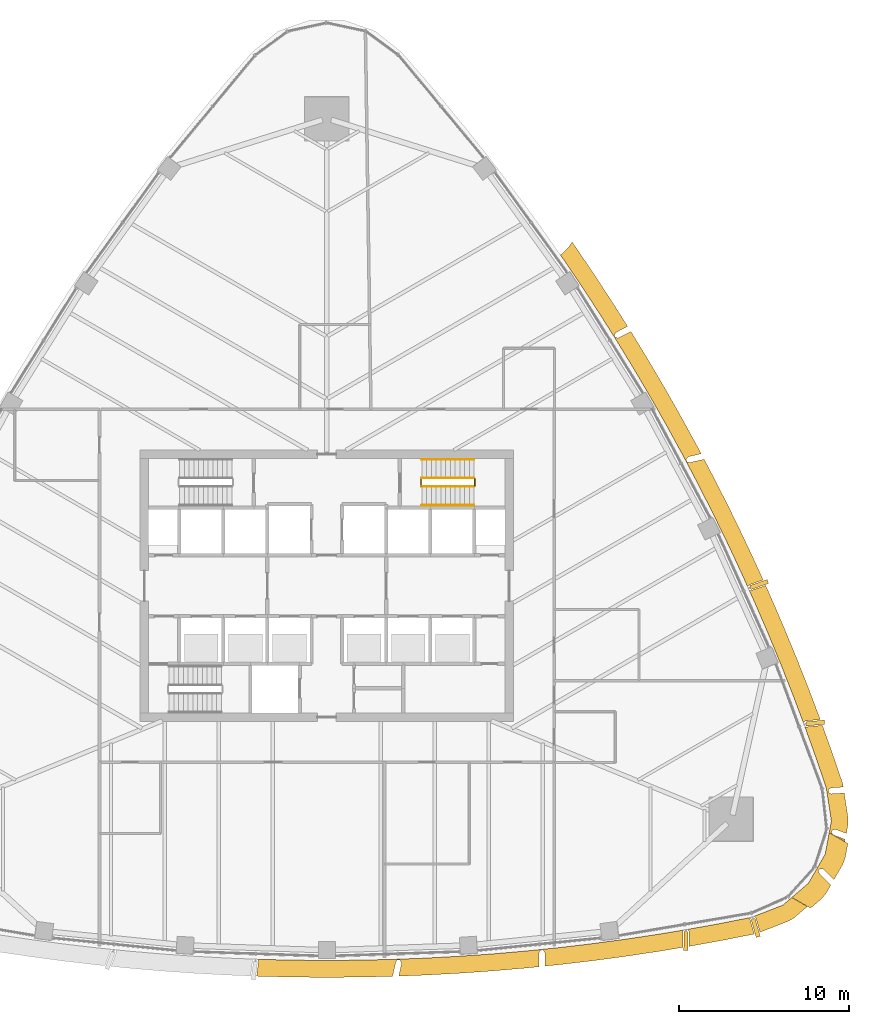
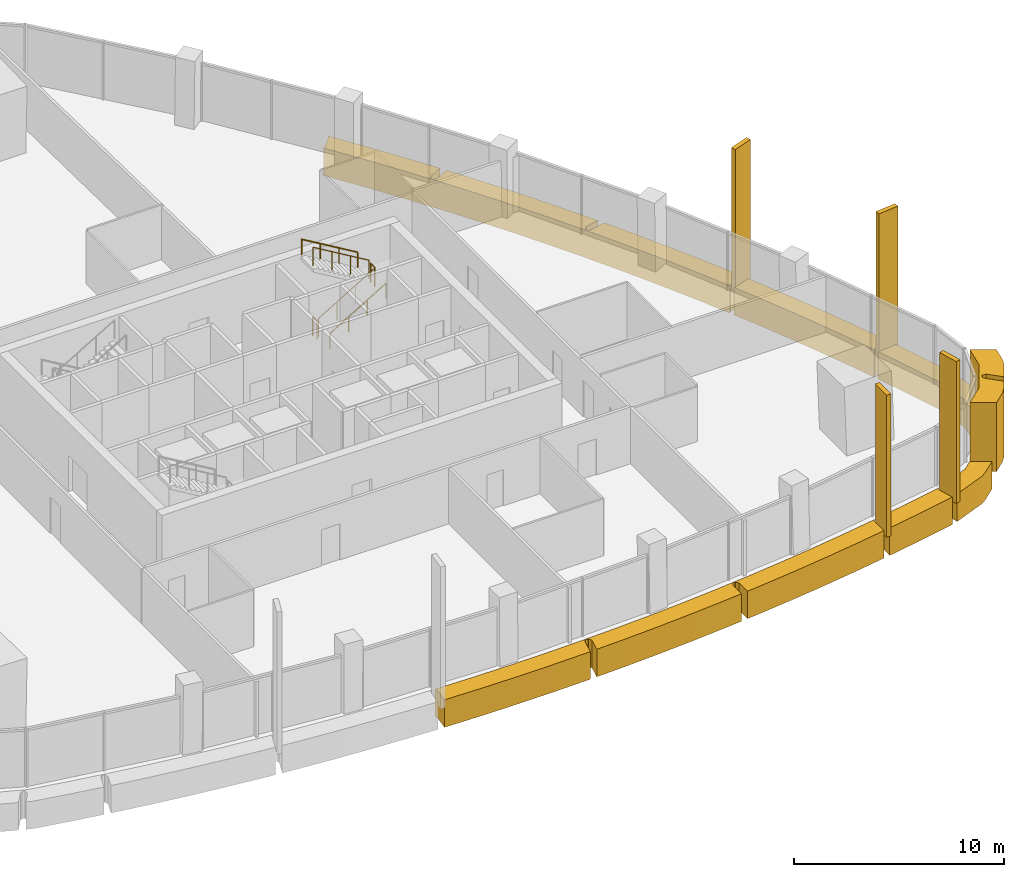
# One storey, part 16 of 17: 11 coverings, 6 railings.
"""IFC4 building model written with IfcOpenShell, lengths in metres."""

from ifc_helpers import new_model, si_unit, direction, frame, origin, origin_2d, place, context, subcontext, project, spatial, polyline, rectangle, circle, outline, extrude, material, layer, layer_set, material_profile, profile_set, type_object, element, save


model = new_model("IFC4")

# Units and contexts
model_context = context("Model", 3, precision=1e-05, world=origin(), true_north=direction((0.0, 1.0)))
body_context = subcontext(model_context, "Body", "Model", "MODEL_VIEW")
ifc_project = project(units=[si_unit("LENGTHUNIT", "METRE"), si_unit("AREAUNIT", "SQUARE_METRE"), si_unit("VOLUMEUNIT", "CUBIC_METRE"), si_unit("PLANEANGLEUNIT", "RADIAN"), si_unit("MASSUNIT", "GRAM", prefix="KILO")], contexts=[model_context])

# Site, building, storey
site_placement = place(None, origin())
site = spatial("IfcSite", under=ifc_project, at=site_placement, CompositionType="ELEMENT")
building_placement = place(site_placement, origin())
building = spatial("IfcBuilding", under=site, at=building_placement, Name="Sierra Prisma Convention Tower", CompositionType="ELEMENT")
storey_placement = place(building_placement, frame((0.0, 0.0, 169.800048828125)))
storey = spatial("IfcBuildingStorey", under=building, at=storey_placement, Name="L37", CompositionType="ELEMENT", Elevation=169.800048828125)

# Coverings
ifc_material_1 = material(Name="Aluminium composite bronze anodised", Category="aluminium")
ifc_layer_1 = layer(ifc_material_1, 1.199951171875)
ifc_layer_set_1 = layer_set([ifc_layer_1], Name="Bronze corner pier")
covering_type_1 = type_object("IfcCoveringType", Name="Bronze corner pier", PredefinedType="CLADDING", material=ifc_layer_set_1)
covering_1_placement = place(storey_placement, frame((0.0, 0.0, -0.60009765625)))
element("IfcCovering", 1, at=covering_1_placement, inside=storey, type_object=covering_type_1, Name="Corner pier SE L37.1", PredefinedType="CLADDING", context=body_context, shape_type="SweptSolid", body=[
    extrude(outline(polyline([(29.06591796875, -16.68798828125), (29.0615234375, -16.68994140625), (29.0576171875, -16.6923828125), (29.0537109375, -16.695068359375), (29.050048828125, -16.697998046875), (29.046875, -16.70166015625), (29.0439453125, -16.705322265625), (29.041259765625, -16.709228515625), (28.9912109375, -16.7958984375), (28.989013671875, -16.80029296875), (28.9873046875, -16.804931640625), (28.98583984375, -16.8095703125), (28.985107421875, -16.814453125), (28.984619140625, -16.819580078125), (28.984619140625, -16.824462890625), (28.9853515625, -16.829345703125), (28.986328125, -16.834228515625), (28.98779296875, -16.8388671875), (29.028564453125, -16.94384765625), (29.030517578125, -16.94873046875), (29.033203125, -16.953125), (29.036376953125, -16.95751953125), (29.039794921875, -16.961181640625), (29.715087890625, -17.63671875), (29.42822265625, -18.13330078125), (29.170654296875, -18.444091796875), (28.51708984375, -19.004638671875), (27.41552734375, -18.368896484375), (28.38916015625, -17.533447265625), (29.37890625, -15.819091796875), (29.615478515625, -14.558349609375), (30.71728515625, -15.194091796875), (30.558349609375, -16.04052734375), (30.418212890625, -16.4189453125), (29.896240234375, -17.32275390625), (29.287353515625, -16.7138671875), (29.28369140625, -16.71044921875), (29.279541015625, -16.70751953125), (29.275390625, -16.705078125), (29.270751953125, -16.702880859375), (29.26611328125, -16.701171875), (29.26123046875, -16.7001953125), (29.25634765625, -16.699462890625), (29.089111328125, -16.6845703125), (29.084228515625, -16.684326171875), (29.07958984375, -16.6845703125), (29.074951171875, -16.685302734375), (29.0703125, -16.686279296875), (29.06591796875, -16.68798828125)])), origin(), (0.0, 0.0, 1.0), 4.0),
])
ifc_material_2 = material(Name="Aluminium 6063-T6 bronze anodised", Category="aluminium")
ifc_material_profile = material_profile(ifc_material_2, rectangle(XDim=1.10009765625, YDim=0.25, at=origin_2d()), Name="ALU FIN 1100x250")
ifc_profile_set = profile_set([ifc_material_profile], Name="Aluminium 6063-T6 bronze anodised")
covering_type_2 = type_object("IfcCoveringType", Name="Bronze facade fin", PredefinedType="CLADDING", material=ifc_profile_set)
for number, where, z_axis, x_axis, name in (
    (2, (21.170166015625, -20.941650390625, -0.300048828125), (0.0, 0.0, 1.0), (-0.011117731831, -0.99993819611, 0.0), "Fin L37.17"),
    (3, (25.279052734375, -20.16552734375, -0.300048828125), (0.0, 0.0, 1.0), (0.280228059068, -0.959933453376, 0.0), "Fin L37.18"),
    (4, (28.795166015625, -8.08935546875, -0.300048828125), (0.0, 0.0, 1.0), (0.995164155208, 0.098225781688, 0.0), "Fin L37.23"),
    (5, (25.4814453125, 0.072509765625, -0.300048828125), (0.0, 0.0, 1.0), (0.944354185364, 0.3289303461, 0.0), "Fin L37.26"),
):
    element("IfcCovering", number, at=place(storey_placement, frame(where, z_axis=z_axis, x_axis=x_axis)), inside=storey, type_object=covering_type_2, Name=name, ObjectType="FIN", PredefinedType="CLADDING", context=body_context, shape_type="SweptSolid", body=[
        extrude(rectangle(XDim=1.10009765625, YDim=0.25, at=origin_2d()), origin(), (0.0, 0.0, 1.0), 8.25),
    ])
ifc_material_3 = material(Name="Aluminium composite bronze anodised", Category="aluminium")
ifc_layer_2 = layer(ifc_material_3, 1.0)
ifc_layer_set_2 = layer_set([ifc_layer_2], Name="Bronze spandrel band")
covering_type_3 = type_object("IfcCoveringType", Name="Bronze spandrel band", PredefinedType="CLADDING", material=ifc_layer_set_2)
covering_2_placement = place(storey_placement, frame((0.0, 0.0, -1.60009765625)))
element("IfcCovering", 6, at=covering_2_placement, inside=storey, type_object=covering_type_3, Name="Spandrel band L37.2", PredefinedType="CLADDING", context=body_context, shape_type="SweptSolid", body=[
    extrude(outline(polyline([(14.77392578125, 19.81494140625), (14.78271484375, 19.802001953125), (15.86767578125, 18.194580078125), (15.876220703125, 18.181396484375), (16.93603515625, 16.55712890625), (16.9443359375, 16.5439453125), (17.73486328125, 15.2900390625), (17.04541015625, 14.935302734375), (17.041015625, 14.932861328125), (17.036865234375, 14.929931640625), (17.033203125, 14.926513671875), (17.02978515625, 14.9228515625), (17.026611328125, 14.918701171875), (17.024169921875, 14.91455078125), (16.953125, 14.781494140625), (16.951171875, 14.77734375), (16.949462890625, 14.772705078125), (16.9482421875, 14.768310546875), (16.947509765625, 14.763427734375), (16.947265625, 14.7587890625), (16.947509765625, 14.75390625), (16.947998046875, 14.7490234375), (16.94921875, 14.744384765625), (16.95068359375, 14.739990234375), (16.95263671875, 14.735595703125), (16.954833984375, 14.7314453125), (17.00830078125, 14.646728515625), (17.010986328125, 14.642822265625), (17.01416015625, 14.63916015625), (17.017578125, 14.6357421875), (17.021484375, 14.6328125), (17.025634765625, 14.630126953125), (17.02978515625, 14.6279296875), (17.034423828125, 14.626220703125), (17.0390625, 14.624755859375), (17.0439453125, 14.623779296875), (17.048583984375, 14.62353515625), (17.180908203125, 14.61865234375), (17.185791015625, 14.61865234375), (17.19091796875, 14.619384765625), (17.196044921875, 14.620361328125), (17.20068359375, 14.6220703125), (17.20556640625, 14.624267578125), (17.92236328125, 14.992919921875), (17.978759765625, 14.9033203125), (17.98681640625, 14.89013671875), (18.99560546875, 13.233642578125), (19.003662109375, 13.22021484375), (19.986328125, 11.548095703125), (19.994140625, 11.53466796875), (20.950927734375, 9.847412109375), (20.95849609375, 9.833984375), (21.888671875, 8.132080078125), (21.89599609375, 8.118408203125), (22.0732421875, 7.781982421875), (21.323486328125, 7.61181640625), (21.31884765625, 7.610595703125), (21.314208984375, 7.60888671875), (21.309814453125, 7.6064453125), (21.3056640625, 7.603759765625), (21.3017578125, 7.6005859375), (21.298095703125, 7.597412109375), (21.294921875, 7.593505859375), (21.193115234375, 7.4599609375), (21.1904296875, 7.4560546875), (21.18798828125, 7.451904296875), (21.186279296875, 7.447509765625), (21.184814453125, 7.443115234375), (21.18359375, 7.4384765625), (21.18310546875, 7.43359375), (21.182861328125, 7.428955078125), (21.18310546875, 7.42431640625), (21.183837890625, 7.419677734375), (21.18505859375, 7.4150390625), (21.1865234375, 7.410400390625), (21.188720703125, 7.40625), (21.235107421875, 7.31787109375), (21.23779296875, 7.3134765625), (21.24072265625, 7.3095703125), (21.243896484375, 7.305908203125), (21.24755859375, 7.302490234375), (21.251708984375, 7.299560546875), (21.255859375, 7.297119140625), (21.26025390625, 7.294921875), (21.264892578125, 7.293212890625), (21.269775390625, 7.2919921875), (21.38037109375, 7.270263671875), (21.385498046875, 7.26953125), (21.390625, 7.269287109375), (21.39599609375, 7.269775390625), (21.40087890625, 7.2705078125), (22.2421875, 7.461181640625), (22.7998046875, 6.40234375), (22.806884765625, 6.388427734375), (23.683837890625, 4.658447265625), (23.690673828125, 4.64453125), (24.54052734375, 2.901123046875), (24.547119140625, 2.88720703125), (25.369873046875, 1.130615234375), (25.376220703125, 1.116455078125), (25.724365234375, 0.34228515625), (24.904541015625, 0.056884765625), (24.89990234375, 0.054931640625), (24.8955078125, 0.052490234375), (24.891357421875, 0.0498046875), (24.887451171875, 0.04638671875), (24.8837890625, 0.04296875), (24.880615234375, 0.0390625), (24.80859375, -0.0595703125), (24.464111328125, 0.70654296875), (23.6416015625, 2.462890625), (22.791748046875, 4.206298828125), (21.914794921875, 5.936279296875), (21.01123046875, 7.65234375), (20.0810546875, 9.354248046875), (19.124267578125, 11.04150390625), (18.1416015625, 12.71337890625), (17.1328125, 14.3701171875), (16.098388671875, 16.0107421875), (15.038818359375, 17.635009765625), (13.953857421875, 19.242919921875), (13.7705078125, 19.505615234375), (13.9453125, 19.6455078125), (14.12255859375, 19.818115234375), (14.281982421875, 20.007080078125), (14.422119140625, 20.210693359375), (14.45556640625, 20.271240234375), (14.77392578125, 19.81494140625)])), origin(), (0.0, 0.0, 1.0), 1.60009765625),
])
covering_3_placement = place(storey_placement, frame((0.0, 0.0, -1.60009765625)))
element("IfcCovering", 7, at=covering_3_placement, inside=storey, type_object=covering_type_3, Name="Spandrel band L37.4", PredefinedType="CLADDING", context=body_context, shape_type="SweptSolid", body=[
    extrude(outline(polyline([(28.414306640625, -6.088134765625), (29.090576171875, -7.88427734375), (28.230712890625, -7.96923828125), (28.2255859375, -7.969970703125), (28.220947265625, -7.97119140625), (28.21630859375, -7.972900390625), (28.2119140625, -7.97509765625), (28.20751953125, -7.9775390625), (28.20361328125, -7.980712890625), (28.199951171875, -7.98388671875), (28.098388671875, -8.08740234375), (27.478515625, -6.440673828125), (26.7666015625, -4.636474609375), (26.02685546875, -2.843505859375), (25.259521484375, -1.0625), (24.89794921875, -0.258544921875), (24.994384765625, -0.27587890625), (24.99951171875, -0.2763671875), (25.004638671875, -0.276611328125), (25.009765625, -0.276123046875), (25.014892578125, -0.275146484375), (25.019775390625, -0.273681640625), (25.868408203125, 0.021728515625), (26.17138671875, -0.652587890625), (26.177734375, -0.666748046875), (26.9453125, -2.447998046875), (26.951416015625, -2.462158203125), (27.691162109375, -4.255126953125), (27.697021484375, -4.26953125), (28.40869140625, -6.07373046875), (28.414306640625, -6.088134765625)])), origin(), (0.0, 0.0, 1.0), 1.60009765625),
])
covering_4_placement = place(storey_placement, frame((0.0, 0.0, -1.60009765625)))
element("IfcCovering", 8, at=covering_4_placement, inside=storey, type_object=covering_type_3, Name="Spandrel band L37.5", PredefinedType="CLADDING", context=body_context, shape_type="SweptSolid", body=[
    extrude(outline(polyline([(29.71240234375, -11.91455078125), (29.7080078125, -11.91650390625), (29.70361328125, -11.9189453125), (29.699462890625, -11.922119140625), (29.581298828125, -12.015380859375), (29.57763671875, -12.018798828125), (29.574462890625, -12.022216796875), (29.571533203125, -12.02587890625), (29.569091796875, -12.030029296875), (29.56689453125, -12.0341796875), (29.56494140625, -12.038818359375), (29.563720703125, -12.043212890625), (29.56298828125, -12.048095703125), (29.5625, -12.052734375), (29.5625, -12.0576171875), (29.56298828125, -12.062255859375), (29.578125, -12.1611328125), (29.5791015625, -12.166015625), (29.58056640625, -12.17041015625), (29.58251953125, -12.175048828125), (29.584716796875, -12.17919921875), (29.58740234375, -12.183349609375), (29.590576171875, -12.18701171875), (29.593994140625, -12.1904296875), (29.59765625, -12.193603515625), (29.601806640625, -12.1962890625), (29.60595703125, -12.198486328125), (29.72509765625, -12.255615234375), (29.72998046875, -12.2578125), (29.73486328125, -12.25927734375), (29.73974609375, -12.260009765625), (29.744873046875, -12.260498046875), (29.75, -12.260498046875), (30.5009765625, -12.21142578125), (30.732666015625, -13.7216796875), (30.72705078125, -14.057861328125), (30.6259765625, -14.5966796875), (29.997314453125, -14.360107421875), (29.992919921875, -14.358642578125), (29.98828125, -14.357666015625), (29.983642578125, -14.357177734375), (29.97900390625, -14.35693359375), (29.974365234375, -14.357177734375), (29.9697265625, -14.35791015625), (29.96533203125, -14.35888671875), (29.8125, -14.40478515625), (29.807861328125, -14.406494140625), (29.80322265625, -14.408447265625), (29.799072265625, -14.4111328125), (29.795166015625, -14.4140625), (29.79150390625, -14.41748046875), (29.7880859375, -14.421142578125), (29.78515625, -14.425048828125), (29.78271484375, -14.429443359375), (29.780517578125, -14.433837890625), (29.77880859375, -14.438720703125), (29.777587890625, -14.443359375), (29.75927734375, -14.541748046875), (29.758544921875, -14.546875), (29.75830078125, -14.552001953125), (29.7587890625, -14.55712890625), (29.759765625, -14.562255859375), (29.760986328125, -14.567138671875), (29.76318359375, -14.572021484375), (29.765380859375, -14.57666015625), (29.768310546875, -14.580810546875), (29.771728515625, -14.5849609375), (29.854736328125, -14.6748046875), (29.858154296875, -14.677978515625), (29.86181640625, -14.680908203125), (29.865478515625, -14.68359375), (29.86962890625, -14.685791015625), (29.873779296875, -14.687744140625), (30.560302734375, -14.946044921875), (30.53564453125, -15.077880859375), (29.61767578125, -14.5478515625), (29.744384765625, -13.873291015625), (29.44384765625, -11.91650390625), (28.817138671875, -10.081298828125), (28.175048828125, -8.292236328125), (28.244384765625, -8.315185546875), (28.24951171875, -8.316650390625), (28.254638671875, -8.3173828125), (28.259765625, -8.317626953125), (28.264892578125, -8.3173828125), (29.212890625, -8.223876953125), (29.75830078125, -9.743408203125), (29.763427734375, -9.758056640625), (30.390380859375, -11.593505859375), (30.432373046875, -11.764892578125), (30.447509765625, -11.8642578125), (29.727294921875, -11.911376953125), (29.72216796875, -11.911865234375), (29.71728515625, -11.912841796875), (29.71240234375, -11.91455078125)])), origin(), (0.0, 0.0, 1.0), 1.60009765625),
])
covering_5_placement = place(storey_placement, frame((0.0, 0.0, -1.60009765625)))
element("IfcCovering", 9, at=covering_5_placement, inside=storey, type_object=covering_type_3, Name="Spandrel band L37.6", PredefinedType="CLADDING", context=body_context, shape_type="SweptSolid", body=[
    extrude(outline(polyline([(25.292724609375, -19.58837890625), (25.291015625, -19.583740234375), (25.2890625, -19.5791015625), (25.286376953125, -19.57470703125), (25.283447265625, -19.57080078125), (25.280029296875, -19.56689453125), (25.2763671875, -19.563720703125), (25.181396484375, -19.486572265625), (26.88671875, -18.822509765625), (27.40771484375, -18.375732421875), (28.32568359375, -18.90576171875), (27.5380859375, -19.58154296875), (27.24951171875, -19.75439453125), (25.535888671875, -20.421630859375), (25.292724609375, -19.58837890625)])), origin(), (0.0, 0.0, 1.0), 1.60009765625),
])
covering_6_placement = place(storey_placement, frame((0.0, 0.0, -1.60009765625)))
element("IfcCovering", 10, at=covering_6_placement, inside=storey, type_object=covering_type_3, Name="Spandrel band L37.7", PredefinedType="CLADDING", context=body_context, shape_type="SweptSolid", body=[
    extrude(outline(polyline([(21.347900390625, -20.37548828125), (21.34619140625, -20.37109375), (21.343994140625, -20.3671875), (21.34130859375, -20.36328125), (21.26123046875, -20.255615234375), (23.13916015625, -19.915771484375), (24.981201171875, -19.552978515625), (24.9560546875, -19.6611328125), (24.955078125, -19.666259765625), (24.954833984375, -19.67138671875), (24.955078125, -19.676513671875), (24.95556640625, -19.681396484375), (24.956787109375, -19.6865234375), (25.20263671875, -20.528564453125), (23.33251953125, -20.89697265625), (23.317138671875, -20.89990234375), (21.40869140625, -21.2451171875), (21.393310546875, -21.247802734375), (21.341796875, -21.25634765625), (21.351318359375, -20.3935546875), (21.35107421875, -20.388916015625), (21.3505859375, -20.384521484375), (21.349609375, -20.3798828125), (21.347900390625, -20.37548828125)])), origin(), (0.0, 0.0, 1.0), 1.60009765625),
])
covering_7_placement = place(storey_placement, frame((0.0, 0.0, -1.60009765625)))
element("IfcCovering", 11, at=covering_7_placement, inside=storey, type_object=covering_type_3, Name="Spandrel band L37.8", PredefinedType="CLADDING", context=body_context, shape_type="SweptSolid", body=[
    extrude(outline(polyline([(12.85546875, -21.643310546875), (12.854736328125, -21.63818359375), (12.853271484375, -21.63330078125), (12.8515625, -21.628662109375), (12.849365234375, -21.624267578125), (12.846435546875, -21.619873046875), (12.75927734375, -21.497314453125), (12.756103515625, -21.493408203125), (12.7529296875, -21.489990234375), (12.749267578125, -21.48681640625), (12.745361328125, -21.484130859375), (12.7412109375, -21.481689453125), (12.73681640625, -21.479736328125), (12.732421875, -21.478271484375), (12.727783203125, -21.47705078125), (12.722900390625, -21.476318359375), (12.71826171875, -21.476318359375), (12.71337890625, -21.4765625), (12.614013671875, -21.486572265625), (12.609130859375, -21.4873046875), (12.6044921875, -21.488525390625), (12.599853515625, -21.489990234375), (12.595458984375, -21.4921875), (12.59130859375, -21.49462890625), (12.58740234375, -21.49755859375), (12.583740234375, -21.500732421875), (12.58056640625, -21.50439453125), (12.57763671875, -21.50830078125), (12.5751953125, -21.512451171875), (12.511962890625, -21.62841796875), (12.509765625, -21.633056640625), (12.508056640625, -21.637939453125), (12.506591796875, -21.642822265625), (12.506103515625, -21.64794921875), (12.505859375, -21.653076171875), (12.516845703125, -22.4541015625), (11.72119140625, -22.534912109375), (11.705810546875, -22.536376953125), (9.773193359375, -22.7021484375), (9.7578125, -22.703369140625), (7.822998046875, -22.839111328125), (7.8076171875, -22.840087890625), (5.870849609375, -22.945556640625), (5.855224609375, -22.9462890625), (4.237548828125, -23.00927734375), (4.407470703125, -22.259521484375), (4.408203125, -22.254638671875), (4.40869140625, -22.249755859375), (4.408447265625, -22.244873046875), (4.407958984375, -22.239990234375), (4.40673828125, -22.235107421875), (4.4052734375, -22.230224609375), (4.4033203125, -22.225830078125), (4.32666015625, -22.076416015625), (4.32421875, -22.072265625), (4.321533203125, -22.068359375), (4.318359375, -22.064697265625), (4.31494140625, -22.061279296875), (4.311279296875, -22.05859375), (4.307373046875, -22.055908203125), (4.302978515625, -22.0537109375), (4.298828125, -22.052001953125), (4.294189453125, -22.050537109375), (4.28955078125, -22.049560546875), (4.284912109375, -22.04931640625), (4.280029296875, -22.049072265625), (4.18017578125, -22.052978515625), (4.17529296875, -22.053466796875), (4.17041015625, -22.054443359375), (4.165771484375, -22.055908203125), (4.1611328125, -22.0576171875), (4.15673828125, -22.059814453125), (4.152587890625, -22.062744140625), (4.148681640625, -22.06591796875), (4.145263671875, -22.0693359375), (4.14208984375, -22.072998046875), (4.07470703125, -22.163330078125), (4.072021484375, -22.167724609375), (4.069580078125, -22.17236328125), (4.0673828125, -22.17724609375), (4.066162109375, -22.18212890625), (3.87548828125, -23.022705078125), (1.962890625, -23.0673828125), (1.947265625, -23.067626953125), (0.0078125, -23.082763671875), (-0.0078125, -23.082763671875), (-1.947265625, -23.067626953125), (-1.962890625, -23.0673828125), (-3.90185546875, -23.022216796875), (-3.917236328125, -23.021728515625), (-4.13720703125, -23.01318359375), (-4.02783203125, -22.152099609375), (-4.027587890625, -22.14697265625), (-4.027587890625, -22.14208984375), (-4.0283203125, -22.136962890625), (-4.029296875, -22.132080078125), (-4.031005859375, -22.127197265625), (-4.033203125, -22.122802734375), (-4.08935546875, -22.014404296875), (-3.87841796875, -22.0224609375), (-1.939453125, -22.06787109375), (0.0, -22.0830078125), (1.939453125, -22.06787109375), (3.87841796875, -22.0224609375), (5.81640625, -21.947021484375), (7.753173828125, -21.841552734375), (9.687744140625, -21.705810546875), (11.6201171875, -21.539794921875), (13.5498046875, -21.343994140625), (15.47607421875, -21.1181640625), (17.398681640625, -20.8623046875), (19.31689453125, -20.57666015625), (21.0458984375, -20.29150390625), (21.0068359375, -20.367431640625), (21.0048828125, -20.37158203125), (21.00341796875, -20.3759765625), (21.002197265625, -20.380615234375), (21.00146484375, -20.385009765625), (21.001220703125, -20.3896484375), (20.990966796875, -21.314208984375), (19.479736328125, -21.563232421875), (19.46435546875, -21.565673828125), (17.5458984375, -21.851318359375), (17.530517578125, -21.853515625), (15.60791015625, -22.109375), (15.592529296875, -22.111328125), (13.666259765625, -22.337158203125), (13.65087890625, -22.3388671875), (12.866455078125, -22.418701171875), (12.855712890625, -21.648193359375), (12.85546875, -21.643310546875)])), origin(), (0.0, 0.0, 1.0), 1.60009765625),
])

# Railings
ifc_material_4 = material(Name="Stainless steel", Category="steel")
railing_type_1 = type_object("IfcRailingType", Name="Exit stair handrail", PredefinedType="HANDRAIL", material=ifc_material_4)
railing_1_placement = place(storey_placement, frame((5.60009765625, 4.75, 0.16650390625)))
element("IfcRailing", 12, at=railing_1_placement, inside=storey, type_object=railing_type_1, Name="L37 S4 stair handrail 1", PredefinedType="HANDRAIL", context=body_context, shape_type="SweptSolid", body=[
    extrude(circle(Radius=0.02392578125, at=origin_2d()), frame((0.0, 0.0, 0.8759765625), z_axis=(0.859260807169, 0.0, 0.511537745687), x_axis=(0.0, 1.0, 0.0)), (0.0, 0.0, 1.0), 3.584228515625),
    extrude(circle(Radius=0.02099609375, at=origin_2d()), origin(), (0.0, 0.0, 1.0), 0.851806640625),
    extrude(circle(Radius=0.02099609375, at=origin_2d()), frame((1.026611328125, 0.0, 0.611083984375)), (0.0, 0.0, 1.0), 0.851806640625),
    extrude(circle(Radius=0.02099609375, at=origin_2d()), frame((2.05322265625, 0.0, 1.222412109375)), (0.0, 0.0, 1.0), 0.851806640625),
    extrude(circle(Radius=0.02099609375, at=origin_2d()), frame((3.079833984375, 0.0, 1.83349609375)), (0.0, 0.0, 1.0), 0.851806640625),
])
railing_2_placement = place(storey_placement, frame((8.679931640625, 7.449951171875, 2.16650390625)))
element("IfcRailing", 13, at=railing_2_placement, inside=storey, type_object=railing_type_1, Name="L37 S4 stair handrail 2", PredefinedType="HANDRAIL", context=body_context, shape_type="SweptSolid", body=[
    extrude(circle(Radius=0.02392578125, at=origin_2d()), frame((0.0, 0.0, 0.8759765625), z_axis=(-0.859260807169, 0.0, 0.511537745687), x_axis=(0.0, -1.0, 0.0)), (0.0, 0.0, 1.0), 3.584228515625),
    extrude(circle(Radius=0.02099609375, at=origin_2d()), origin(), (0.0, 0.0, 1.0), 0.851806640625),
    extrude(circle(Radius=0.02099609375, at=origin_2d()), frame((-1.026611328125, 0.0, 0.611083984375)), (0.0, 0.0, 1.0), 0.851806640625),
    extrude(circle(Radius=0.02099609375, at=origin_2d()), frame((-2.05322265625, 0.0, 1.222412109375)), (0.0, 0.0, 1.0), 0.851806640625),
    extrude(circle(Radius=0.02099609375, at=origin_2d()), frame((-3.079833984375, 0.0, 1.83349609375)), (0.0, 0.0, 1.0), 0.851806640625),
])
ifc_material_5 = material(Name="Stainless steel", Category="steel")
railing_type_2 = type_object("IfcRailingType", Name="Stair guard 1100", PredefinedType="GUARDRAIL", material=ifc_material_5)
railing_3_placement = place(storey_placement, frame((5.60009765625, 5.85009765625, 0.16650390625)))
element("IfcRailing", 14, at=railing_3_placement, inside=storey, type_object=railing_type_2, Name="L37 S4 stair guard 1", PredefinedType="GUARDRAIL", context=body_context, shape_type="SweptSolid", body=[
    extrude(circle(Radius=0.02392578125, at=origin_2d()), frame((0.0, 0.0, 1.076171875), z_axis=(0.859260807169, 0.0, 0.511537745687), x_axis=(0.0, 1.0, 0.0)), (0.0, 0.0, 1.0), 3.584228515625),
    extrude(circle(Radius=0.02099609375, at=origin_2d()), origin(), (0.0, 0.0, 1.0), 1.052001953125),
    extrude(circle(Radius=0.02099609375, at=origin_2d()), frame((1.026611328125, 0.0, 0.611083984375)), (0.0, 0.0, 1.0), 1.052001953125),
    extrude(circle(Radius=0.02099609375, at=origin_2d()), frame((2.05322265625, 0.0, 1.222412109375)), (0.0, 0.0, 1.0), 1.052001953125),
    extrude(circle(Radius=0.02099609375, at=origin_2d()), frame((3.079833984375, 0.0, 1.83349609375)), (0.0, 0.0, 1.0), 1.052001953125),
])
railing_4_placement = place(storey_placement, frame((8.72998046875, 5.89990234375, 2.0)))
element("IfcRailing", 15, at=railing_4_placement, inside=storey, type_object=railing_type_2, Name="L37 S4 stair guard 2", PredefinedType="GUARDRAIL", context=body_context, shape_type="SweptSolid", body=[
    extrude(circle(Radius=0.02392578125, at=origin_2d()), frame((0.0, 0.0, 1.076171875), z_axis=(0.0, 1.0, 0.0), x_axis=(-1.0, 0.0, 0.0)), (0.0, 0.0, 1.0), 0.400146484375),
    extrude(circle(Radius=0.02099609375, at=origin_2d()), origin(), (0.0, 0.0, 1.0), 1.052001953125),
    extrude(circle(Radius=0.02099609375, at=origin_2d()), frame((0.0, 0.400146484375, 0.0)), (0.0, 0.0, 1.0), 1.052001953125),
])
railing_5_placement = place(storey_placement, frame((8.679931640625, 6.35009765625, 2.16650390625)))
element("IfcRailing", 16, at=railing_5_placement, inside=storey, type_object=railing_type_2, Name="L37 S4 stair guard 3", PredefinedType="GUARDRAIL", context=body_context, shape_type="SweptSolid", body=[
    extrude(circle(Radius=0.02392578125, at=origin_2d()), frame((0.0, 0.0, 1.076171875), z_axis=(-0.859260807169, 0.0, 0.511537745687), x_axis=(0.0, -1.0, 0.0)), (0.0, 0.0, 1.0), 3.584228515625),
    extrude(circle(Radius=0.02099609375, at=origin_2d()), origin(), (0.0, 0.0, 1.0), 1.052001953125),
    extrude(circle(Radius=0.02099609375, at=origin_2d()), frame((-1.026611328125, 0.0, 0.611083984375)), (0.0, 0.0, 1.0), 1.052001953125),
    extrude(circle(Radius=0.02099609375, at=origin_2d()), frame((-2.05322265625, 0.0, 1.222412109375)), (0.0, 0.0, 1.0), 1.052001953125),
    extrude(circle(Radius=0.02099609375, at=origin_2d()), frame((-3.079833984375, 0.0, 1.83349609375)), (0.0, 0.0, 1.0), 1.052001953125),
])
railing_6_placement = place(storey_placement, frame((5.550048828125, 5.89990234375, 0.0)))
element("IfcRailing", 17, at=railing_6_placement, inside=storey, type_object=railing_type_2, Name="L37 S4 stair guard 4", PredefinedType="GUARDRAIL", context=body_context, shape_type="SweptSolid", body=[
    extrude(circle(Radius=0.02392578125, at=origin_2d()), frame((0.0, 0.0, 1.076171875), z_axis=(0.0, 1.0, 0.0), x_axis=(-1.0, 0.0, 0.0)), (0.0, 0.0, 1.0), 0.400146484375),
    extrude(circle(Radius=0.02099609375, at=origin_2d()), origin(), (0.0, 0.0, 1.0), 1.052001953125),
    extrude(circle(Radius=0.02099609375, at=origin_2d()), frame((0.0, 0.400146484375, 0.0)), (0.0, 0.0, 1.0), 1.052001953125),
])

save(model, "model.ifc")
